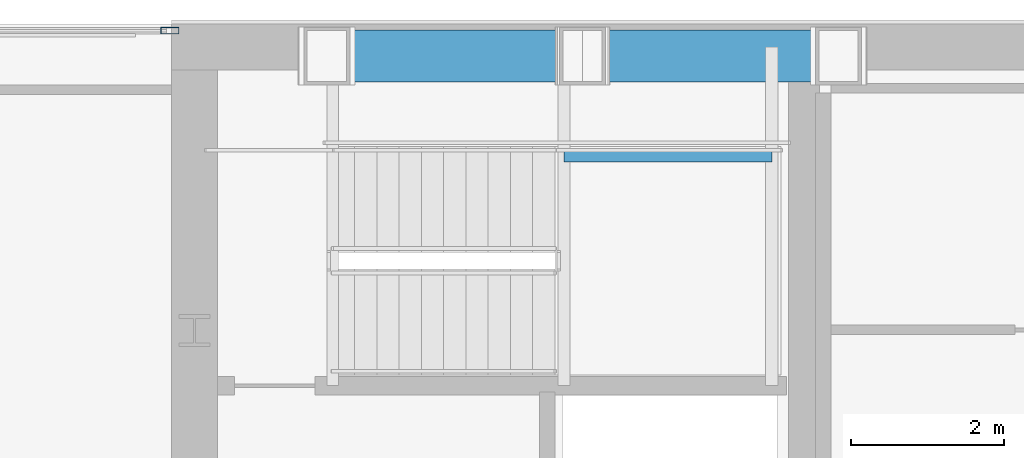
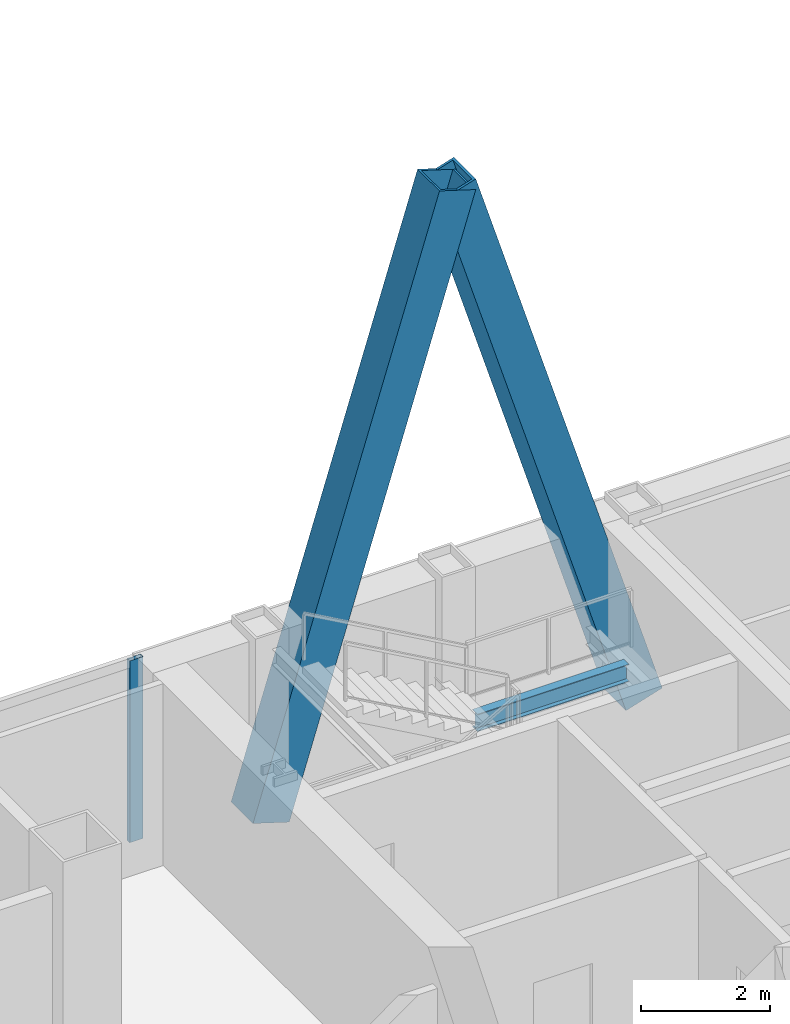
# One storey, part 21 of 30: 3 members, 1 beam, 1 element without a shape of its own.
"""IFC4 building model written with IfcOpenShell, lengths in metres."""

from ifc_helpers import new_model, si_unit, direction, frame, origin, origin_2d, place, context, subcontext, project, spatial, hollow_rectangle, i_section, extrude, material, material_profile, profile_set, type_object, element, aggregate, save


model = new_model("IFC4")

# Units and contexts
model_context = context("Model", 3, precision=1e-05, world=origin(), true_north=direction((0.0, 1.0)))
body_context = subcontext(model_context, "Body", "Model", "MODEL_VIEW")
ifc_project = project(units=[si_unit("LENGTHUNIT", "METRE"), si_unit("AREAUNIT", "SQUARE_METRE"), si_unit("VOLUMEUNIT", "CUBIC_METRE"), si_unit("PLANEANGLEUNIT", "RADIAN"), si_unit("MASSUNIT", "GRAM", prefix="KILO")], contexts=[model_context])

# Site, building, storey
site_placement = place(None, origin())
site = spatial("IfcSite", under=ifc_project, at=site_placement, CompositionType="ELEMENT")
building_placement = place(site_placement, origin())
building = spatial("IfcBuilding", under=site, at=building_placement, Name="Khoronbel Lancet Exchange", CompositionType="ELEMENT")
storey_placement = place(building_placement, frame((0.0, 0.0, 239.0)))
storey = spatial("IfcBuildingStorey", under=building, at=storey_placement, Name="L61", CompositionType="ELEMENT", Elevation=239.0)

# Beam
ifc_material_1 = material(Name="Steel S355", Category="steel")
ifc_material_profile_1 = material_profile(ifc_material_1, i_section(OverallWidth=0.159912109375, OverallDepth=0.330078125, WebThickness=0.007568359375, FlangeThickness=0.011474609375, at=origin_2d()), Name="IPE 330")
ifc_profile_set_1 = profile_set([ifc_material_profile_1], Name="Steel S355")
beam_type = type_object("IfcBeamType", Name="BM-BJ7", PredefinedType="JOIST", material=ifc_profile_set_1)
beam_placement = place(storey_placement, frame((21.320068359375, 51.97998046875, 1.43505859375), z_axis=(1.0, 0.0, 0.0), x_axis=(0.0, 1.0, 0.0)))
element("IfcBeam", 1, at=beam_placement, inside=storey, type_object=beam_type, Name="Level L61 stair ST1 landing cross trimmer beam 1", PredefinedType="JOIST", context=body_context, shape_type="SweptSolid", body=[
    extrude(i_section(OverallWidth=0.159912109375, OverallDepth=0.330078125, WebThickness=0.007568359375, FlangeThickness=0.011474609375, at=origin_2d()), origin(), (0.0, 0.0, 1.0), 2.7099609375),
])

# Curtain wall, member
ifc_material_2 = material(Name="Low-E Solar Control Insulating Glass", Category="glass")
curtain_wall_type = type_object("IfcCurtainWallType", Name="CW-3", PredefinedType="NOTDEFINED", material=ifc_material_2)
curtain_wall_placement = place(storey_placement, origin())
curtain_wall = element("IfcCurtainWall", 2, at=curtain_wall_placement, inside=storey, type_object=curtain_wall_type, Name="Unitised curtain wall CW-L61-NWFLK", PredefinedType="NOTDEFINED")
ifc_material_3 = material(Name="Bronze-Anodised Aluminium 6063-T6", Category="aluminium")
ifc_material_profile_2 = material_profile(ifc_material_3, hollow_rectangle(XDim=0.0849609375, YDim=0.239990234375, WallThickness=0.006103515625, at=origin_2d()), Name="ALU MULLION 85x240")
ifc_profile_set_2 = profile_set([ifc_material_profile_2], Name="Bronze-Anodised Aluminium 6063-T6")
member_type_1 = type_object("IfcMemberType", Name="MEM-CWM1", PredefinedType="MULLION", material=ifc_profile_set_2)
member_placement = place(storey_placement, frame((16.177490234375, 53.610107421875, 0.0), z_axis=(0.0, 0.0, 1.0), x_axis=(0.0, -1.0, 0.0)))
member = element("IfcMember", 3, at=member_placement, type_object=member_type_1, Name="CW3 mullion 1", PredefinedType="MULLION", context=body_context, shape_type="SweptSolid", body=[
    extrude(hollow_rectangle(XDim=0.0849609375, YDim=0.239990234375, WallThickness=0.006103515625, at=origin_2d()), origin(), (0.0, 0.0, 1.0), 3.43994140625),
])
aggregate(curtain_wall, [member])

# Members
ifc_material_4 = material(Name="Steel S460", Category="steel")
ifc_material_profile_3 = material_profile(ifc_material_4, hollow_rectangle(XDim=0.679931640625, YDim=0.679931640625, WallThickness=0.044921875, at=origin_2d()), Name="BOX 680x680x45")
ifc_profile_set_3 = profile_set([ifc_material_profile_3], Name="Steel S460")
member_type_2 = type_object("IfcMemberType", Name="MEM-MB3", PredefinedType="BRACE", material=ifc_profile_set_3)
for number, where, z_axis, x_axis, name in (
    (4, (18.22509765625, 53.280029296875, 0.0), (0.295242108906, 0.0, 0.955422470496), (0.0, 1.0, 0.0), "Perimeter lancet brace tier 21 N-W-L"),
    (5, (24.89990234375, 53.280029296875, 0.0), (-0.295242108906, 0.0, 0.955422470496), (0.0, -1.0, 0.0), "Perimeter lancet brace tier 21 N-W-R"),
):
    element("IfcMember", number, at=place(storey_placement, frame(where, z_axis=z_axis, x_axis=x_axis)), inside=storey, type_object=member_type_2, Name=name, PredefinedType="BRACE", context=body_context, shape_type="SweptSolid", body=[
        extrude(hollow_rectangle(XDim=0.679931640625, YDim=0.679931640625, WallThickness=0.044921875, at=origin_2d()), origin(), (0.0, 0.0, 1.0), 11.303955078125),
    ])

save(model, "model.ifc")
